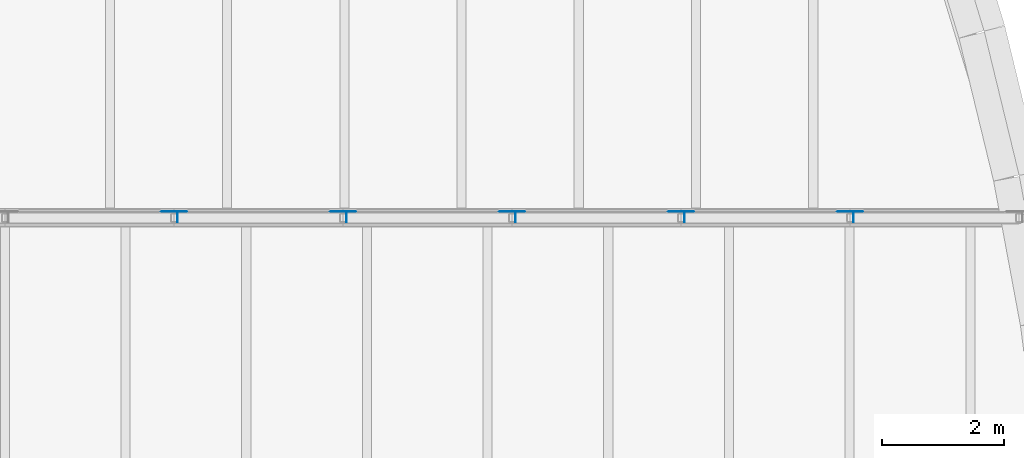
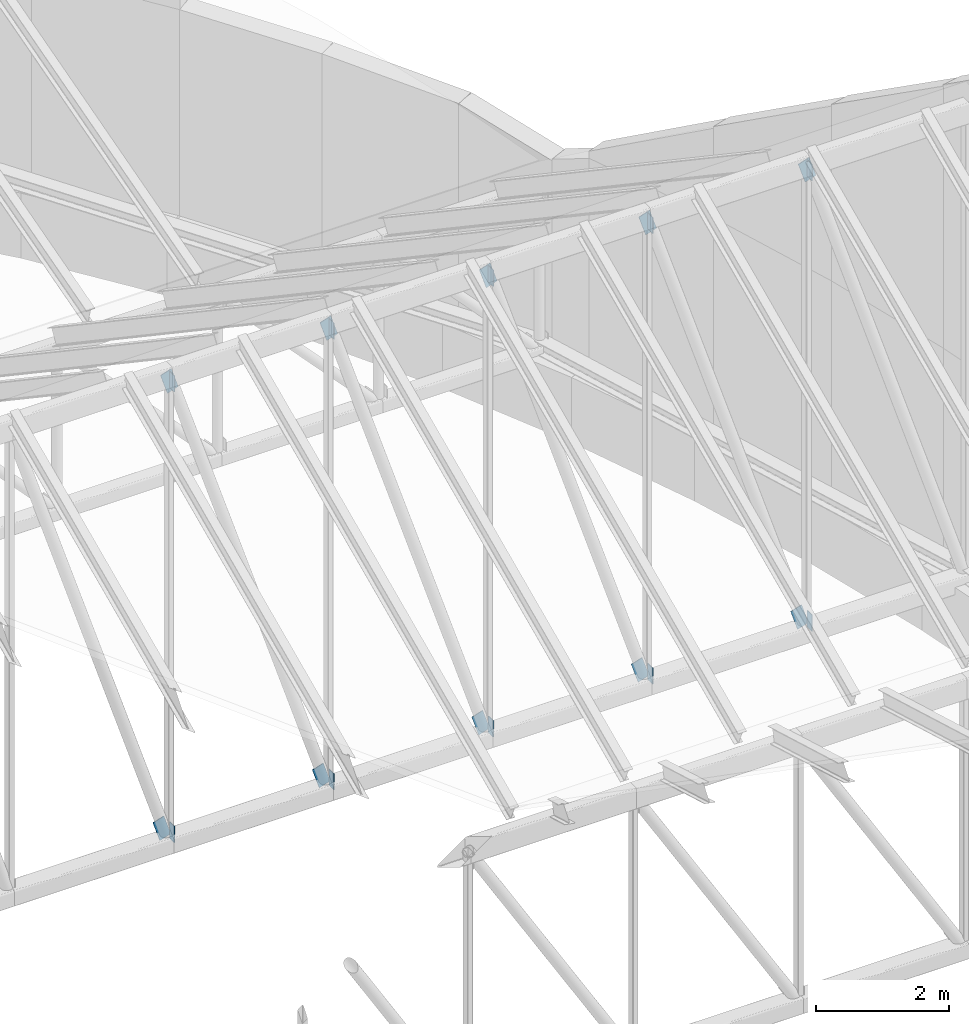
# One storey, part 58 of 68: 20 discrete accessories.
"""IFC4 building model written with IfcOpenShell, lengths in metres."""

import ifcopenshell
import ifcopenshell.guid

model = None  # the IFC model being written
_history = None  # IfcOwnerHistory: only IFC2X3 demands one
_inside = {}  # id of a spatial element -> (the spatial element, [elements in it])
_under = {}  # id of a project, library or spatial element -> (it, [spatial elements below it])
_declared = {}  # id of a project -> (the project, [libraries it declares])
_typed = {}  # id of a type object -> (the type object, [elements of that type])
_made_of = {}  # id of a material, layer set ... -> (it, [elements and type objects made of it])


def new_model(schema):
    """Start an empty IFC model of exactly this schema.

    Asked for "IFC4X3", IfcOpenShell would pick the latest addendum, in which some entities
    have other attributes; the version numbers below select the first issue.
    IFC2X3 requires an IfcOwnerHistory on every rooted entity: one is made here for all.
    """
    global model, _history
    if schema == "IFC4X3":
        model = ifcopenshell.file(schema_version=(4, 3, 0, 0))
    else:
        model = ifcopenshell.file(schema=schema)
    _inside.clear()
    _under.clear()
    _declared.clear()
    _typed.clear()
    _made_of.clear()
    _history = None
    if model.schema == "IFC2X3":
        org = make("IfcOrganization", Name="unknown")
        user = make(
            "IfcPersonAndOrganization",
            ThePerson=make("IfcPerson", FamilyName="unknown"),
            TheOrganization=org,
        )
        app = make(
            "IfcApplication",
            ApplicationDeveloper=org,
            Version="unknown",
            ApplicationFullName="unknown",
            ApplicationIdentifier="unknown",
        )
        _history = make(
            "IfcOwnerHistory",
            OwningUser=user,
            OwningApplication=app,
            ChangeAction="ADDED",
            CreationDate=0,
        )
    return model


def make(cls, **values):
    """One entity of the class cls with the attributes given. An attribute that is None is left unset."""
    return model.create_entity(
        cls, **{name: value for name, value in values.items() if value is not None}
    )


def rooted(cls, **values):
    """An entity with a GlobalId (a new one), such as an element, a storey or a relation."""
    return make(cls, GlobalId=ifcopenshell.guid.new(), OwnerHistory=_history, **values)


def si_unit(unit_type, name, prefix=None):
    """IfcSIUnit, for example si_unit("LENGTHUNIT", "METRE", prefix="MILLI")."""
    return make("IfcSIUnit", UnitType=unit_type, Prefix=prefix, Name=name)


def assignment(units):
    """IfcUnitAssignment: the units of a project."""
    return None if units is None else make("IfcUnitAssignment", Units=units)


def point(xyz):
    """IfcCartesianPoint."""
    return None if xyz is None else make("IfcCartesianPoint", Coordinates=xyz)


def direction(xyz):
    """IfcDirection."""
    return None if xyz is None else make("IfcDirection", DirectionRatios=xyz)


def frame(location, z_axis=None, x_axis=None):
    """IfcAxis2Placement3D, a coordinate frame: its origin and axes. An axis left out is left unset."""
    return make(
        "IfcAxis2Placement3D",
        Location=point(location),
        Axis=direction(z_axis),
        RefDirection=direction(x_axis),
    )


def frame_2d(location, x_axis=None):
    """IfcAxis2Placement2D, a coordinate frame in the plane: its origin and x axis."""
    return make(
        "IfcAxis2Placement2D", Location=point(location), RefDirection=direction(x_axis)
    )


def origin():
    """The frame at (0, 0, 0) with its axes left unset."""
    return frame((0.0, 0.0, 0.0))


def origin_2d():
    """The frame at (0, 0) in the plane with its x axis left unset."""
    return frame_2d((0.0, 0.0))


def place(relative_to, where):
    """IfcLocalPlacement: puts the frame where relative to a parent placement (None: the world)."""
    return make(
        "IfcLocalPlacement", PlacementRelTo=relative_to, RelativePlacement=where
    )


def context(
    kind, dimensions, precision=None, world=None, true_north=None, identifier=None
):
    """IfcGeometricRepresentationContext, for example the 3D "Model" context."""
    return make(
        "IfcGeometricRepresentationContext",
        ContextIdentifier=identifier,
        ContextType=kind,
        CoordinateSpaceDimension=dimensions,
        Precision=precision,
        WorldCoordinateSystem=world,
        TrueNorth=true_north,
    )


def subcontext(parent, identifier, kind, view, scale=None):
    """IfcGeometricRepresentationSubContext, for example "Body" below "Model"."""
    return make(
        "IfcGeometricRepresentationSubContext",
        ContextIdentifier=identifier,
        ContextType=kind,
        ParentContext=parent,
        TargetScale=scale,
        TargetView=view,
    )


def project(units=None, contexts=None):
    """IfcProject with its units and contexts."""
    return rooted(
        "IfcProject",
        Name="project",
        RepresentationContexts=contexts,
        UnitsInContext=assignment(units),
    )


def spatial(cls, under=None, at=None, **own):
    """A site, building, storey or space (cls), placed at a placement, below another one or the project."""
    s = rooted(cls, ObjectPlacement=at, **own)
    if under is not None:
        _under.setdefault(under.id(), (under, []))[1].append(s)
    return s


def profile(cls, at=None, kind="AREA", **sizes):
    """A parametric profile (cls). Its sizes go by their IFC names, for example OverallWidth=200.0."""
    return make(cls, ProfileType=kind, Position=at, **sizes)


def rectangle(**sizes):
    """IfcRectangleProfileDef."""
    return profile("IfcRectangleProfileDef", **sizes)


def extrude(swept, where, along, depth):
    """IfcExtrudedAreaSolid: the profile swept, set in the frame where, extruded along a direction by depth."""
    return make(
        "IfcExtrudedAreaSolid",
        SweptArea=swept,
        Position=where,
        ExtrudedDirection=direction(along),
        Depth=depth,
    )


def shape(context_of_items, identifier, shape_type, items):
    """IfcShapeRepresentation: the items that make up one representation, for example the "Body"."""
    return make(
        "IfcShapeRepresentation",
        ContextOfItems=context_of_items,
        RepresentationIdentifier=identifier,
        RepresentationType=shape_type,
        Items=items,
    )


def material(Name=None, Category=None):
    """IfcMaterial."""
    return make("IfcMaterial", Name=Name, Category=Category)


def material_profile(
    of_material, cross_section, Name=None, Category=None, Priority=None
):
    """IfcMaterialProfile: a cross section and its material."""
    return make(
        "IfcMaterialProfile",
        Name=Name,
        Material=of_material,
        Profile=cross_section,
        Priority=Priority,
        Category=Category,
    )


def profile_set(profiles, Name=None, composite=None):
    """IfcMaterialProfileSet."""
    return make(
        "IfcMaterialProfileSet",
        Name=Name,
        MaterialProfiles=profiles,
        CompositeProfile=composite,
    )


def made_of(thing, what):
    """Note that an element or type object is made of a material, layer set ...; save() writes the relation."""
    if what is not None:
        _made_of.setdefault(what.id(), (what, []))[1].append(thing)
    return thing


def type_object(cls, material=None, **own):
    """A type object (cls), such as IfcWallType, which elements share."""
    return made_of(rooted(cls, **own), material)


def element(
    cls,
    number,
    at=None,
    inside=None,
    cuts=None,
    type_object=None,
    material=None,
    context=None,
    identifier="Body",
    shape_type=None,
    held_by="IfcProductDefinitionShape",
    body=None,
    shapes=None,
    **own,
):
    """One element of the class cls, such as IfcWall. Its Tag is "e" and its number.

    at: its placement. inside: the storey or other place that contains it. cuts: it is an
    opening in that element (IfcRelVoidsElement). A single representation is given by context,
    identifier, shape_type and body (its items); several are given by shapes. held_by: the class
    of the entity that holds the representations. save() writes the other relations.
    """
    e = rooted(cls, Tag="e%d" % number, ObjectPlacement=at, **own)
    if body is not None:
        shapes = [shape(context, identifier, shape_type, body)]
    if shapes is not None:
        e.Representation = make(held_by, Representations=shapes)
    if inside is not None:
        _inside.setdefault(inside.id(), (inside, []))[1].append(e)
    if cuts is not None:
        rooted(
            "IfcRelVoidsElement", RelatingBuildingElement=cuts, RelatedOpeningElement=e
        )
    if type_object is not None:
        _typed.setdefault(type_object.id(), (type_object, []))[1].append(e)
    return made_of(e, material)


def aggregate(whole, parts):
    """IfcRelAggregates: a whole, such as a stair, and the parts it consists of."""
    return rooted("IfcRelAggregates", RelatingObject=whole, RelatedObjects=parts)


def save(model, path):
    """Write the relations noted so far, then the file.

    IfcRelAggregates (storeys below a building ...), IfcRelContainedInSpatialStructure (elements
    in a storey), IfcRelDefinesByType, IfcRelAssociatesMaterial and IfcRelDeclares: one each for
    every whole, place, type object, material and project.
    """
    for whole, parts in _under.values():
        aggregate(whole, parts)
    for where, things in _inside.values():
        rooted(
            "IfcRelContainedInSpatialStructure",
            RelatedElements=things,
            RelatingStructure=where,
        )
    for kind, things in _typed.values():
        rooted("IfcRelDefinesByType", RelatedObjects=things, RelatingType=kind)
    for what, things in _made_of.values():
        rooted("IfcRelAssociatesMaterial", RelatedObjects=things, RelatingMaterial=what)
    for by, libraries in _declared.values():
        rooted("IfcRelDeclares", RelatingContext=by, RelatedDefinitions=libraries)
    model.write(path)


model = new_model("IFC4")

# Units and contexts
model_context = context("Model", 3, precision=1e-05, world=origin(), true_north=direction((0.0, 1.0)))
body_context = subcontext(model_context, "Body", "Model", "MODEL_VIEW")
ifc_project = project(units=[si_unit("LENGTHUNIT", "METRE"), si_unit("AREAUNIT", "SQUARE_METRE"), si_unit("VOLUMEUNIT", "CUBIC_METRE"), si_unit("PLANEANGLEUNIT", "RADIAN"), si_unit("MASSUNIT", "GRAM", prefix="KILO")], contexts=[model_context])

# Site, building, storey
site_placement = place(None, origin())
site = spatial("IfcSite", under=ifc_project, at=site_placement, CompositionType="ELEMENT")
building_placement = place(site_placement, origin())
building = spatial("IfcBuilding", under=site, at=building_placement, Name="Larchfold Concert Hall", CompositionType="ELEMENT")
storey_placement = place(building_placement, frame((0.0, 0.0, 28.800048828125)))
storey = spatial("IfcBuildingStorey", under=building, at=storey_placement, Name="L06", CompositionType="ELEMENT", Elevation=28.800048828125)

# Discrete accessories
ifc_material_1 = material(Name="Steel S355 galvanised bracket", Category="steel")
ifc_material_profile_1 = material_profile(ifc_material_1, rectangle(XDim=0.011962890625, YDim=0.14990234375, at=origin_2d()))
ifc_profile_set_1 = profile_set([ifc_material_profile_1], Name="Steel S355 galvanised bracket")
discrete_accessory_type_1 = type_object("IfcDiscreteAccessoryType", Name="Gusset plate 12x150", PredefinedType="BRACKET", material=ifc_profile_set_1)
for number, where, z_axis, x_axis, name in (
    (1, (52.37890625, 93.60009765625, 8.599853515625), (0.0, 0.0, -1.0), (1.0, 0.0, 0.0), "Gusset plate GP0399"),
    (2, (52.37890625, 93.60009765625, 0.300048828125), (0.0, 0.0, -1.0), (1.0, 0.0, 0.0), "Gusset plate GP0400"),
    (3, (55.15673828125, 93.60009765625, 8.599853515625), (0.0, 0.0, -1.0), (1.0, 0.0, 0.0), "Gusset plate GP0401"),
    (4, (55.15673828125, 93.60009765625, 0.300048828125), (0.0, 0.0, -1.0), (1.0, 0.0, 0.0), "Gusset plate GP0402"),
    (5, (57.934814453125, 93.60009765625, 8.599853515625), (0.0, 0.0, -1.0), (1.0, 0.0, 0.0), "Gusset plate GP0403"),
    (6, (57.934814453125, 93.60009765625, 0.300048828125), (0.0, 0.0, -1.0), (1.0, 0.0, 0.0), "Gusset plate GP0404"),
    (7, (60.712646484375, 93.60009765625, 8.599853515625), (0.0, 0.0, -1.0), (1.0, 0.0, 0.0), "Gusset plate GP0405"),
    (8, (60.712646484375, 93.60009765625, 0.300048828125), (0.0, 0.0, -1.0), (1.0, 0.0, 0.0), "Gusset plate GP0406"),
    (9, (63.49072265625, 93.60009765625, 8.599853515625), (0.0, 0.0, -1.0), (1.0, 0.0, 0.0), "Gusset plate GP0407"),
    (10, (63.49072265625, 93.60009765625, 0.300048828125), (0.0, 0.0, -1.0), (1.0, 0.0, 0.0), "Gusset plate GP0408"),
):
    element("IfcDiscreteAccessory", number, at=place(storey_placement, frame(where, z_axis=z_axis, x_axis=x_axis)), inside=storey, type_object=discrete_accessory_type_1, Name=name, PredefinedType="BRACKET", context=body_context, shape_type="SweptSolid", body=[
        extrude(rectangle(XDim=0.011962890625, YDim=0.14990234375, at=origin_2d()), origin(), (0.0, 0.0, 1.0), 0.300048828125),
    ])
ifc_material_2 = material(Name="Steel S355 galvanised bracket", Category="steel")
ifc_material_profile_2 = material_profile(ifc_material_2, rectangle(XDim=0.011962890625, YDim=0.199951171875, at=origin_2d()))
ifc_profile_set_2 = profile_set([ifc_material_profile_2], Name="Steel S355 galvanised bracket")
discrete_accessory_type_2 = type_object("IfcDiscreteAccessoryType", Name="Gusset plate 12x200", PredefinedType="BRACKET", material=ifc_profile_set_2)
for number, where, z_axis, x_axis, name in (
    (11, (52.19775390625, 93.702880859375, 0.3876953125), (0.307518266655, 0.0, -0.951542177559), (0.0, 1.0, 0.0), "Gusset plate GP0434"),
    (12, (52.3291015625, 93.702880859375, 8.580810546875), (0.307518266655, 0.0, -0.951542177559), (0.0, 1.0, 0.0), "Gusset plate GP0435"),
    (13, (54.9755859375, 93.702880859375, 0.3876953125), (0.307518266655, 0.0, -0.951542177559), (0.0, 1.0, 0.0), "Gusset plate GP0436"),
    (14, (55.10693359375, 93.702880859375, 8.580810546875), (0.307518266655, 0.0, -0.951542177559), (0.0, 1.0, 0.0), "Gusset plate GP0437"),
    (15, (57.753662109375, 93.702880859375, 0.3876953125), (0.307518266655, 0.0, -0.951542177559), (0.0, 1.0, 0.0), "Gusset plate GP0438"),
    (16, (57.885009765625, 93.702880859375, 8.580810546875), (0.307518266655, 0.0, -0.951542177559), (0.0, 1.0, 0.0), "Gusset plate GP0439"),
    (17, (60.531494140625, 93.702880859375, 0.3876953125), (0.307518266655, 0.0, -0.951542177559), (0.0, 1.0, 0.0), "Gusset plate GP0440"),
    (18, (60.662841796875, 93.702880859375, 8.580810546875), (0.307518266655, 0.0, -0.951542177559), (0.0, 1.0, 0.0), "Gusset plate GP0441"),
    (19, (63.3095703125, 93.702880859375, 0.3876953125), (0.307518266655, 0.0, -0.951542177559), (0.0, 1.0, 0.0), "Gusset plate GP0442"),
    (20, (63.44091796875, 93.702880859375, 8.580810546875), (0.307518266655, 0.0, -0.951542177559), (0.0, 1.0, 0.0), "Gusset plate GP0443"),
):
    element("IfcDiscreteAccessory", number, at=place(storey_placement, frame(where, z_axis=z_axis, x_axis=x_axis)), inside=storey, type_object=discrete_accessory_type_2, Name=name, PredefinedType="BRACKET", context=body_context, shape_type="SweptSolid", body=[
        extrude(rectangle(XDim=0.011962890625, YDim=0.199951171875, at=origin_2d()), origin(), (0.0, 0.0, 1.0), 0.387451171875),
    ])

save(model, "model.ifc")
